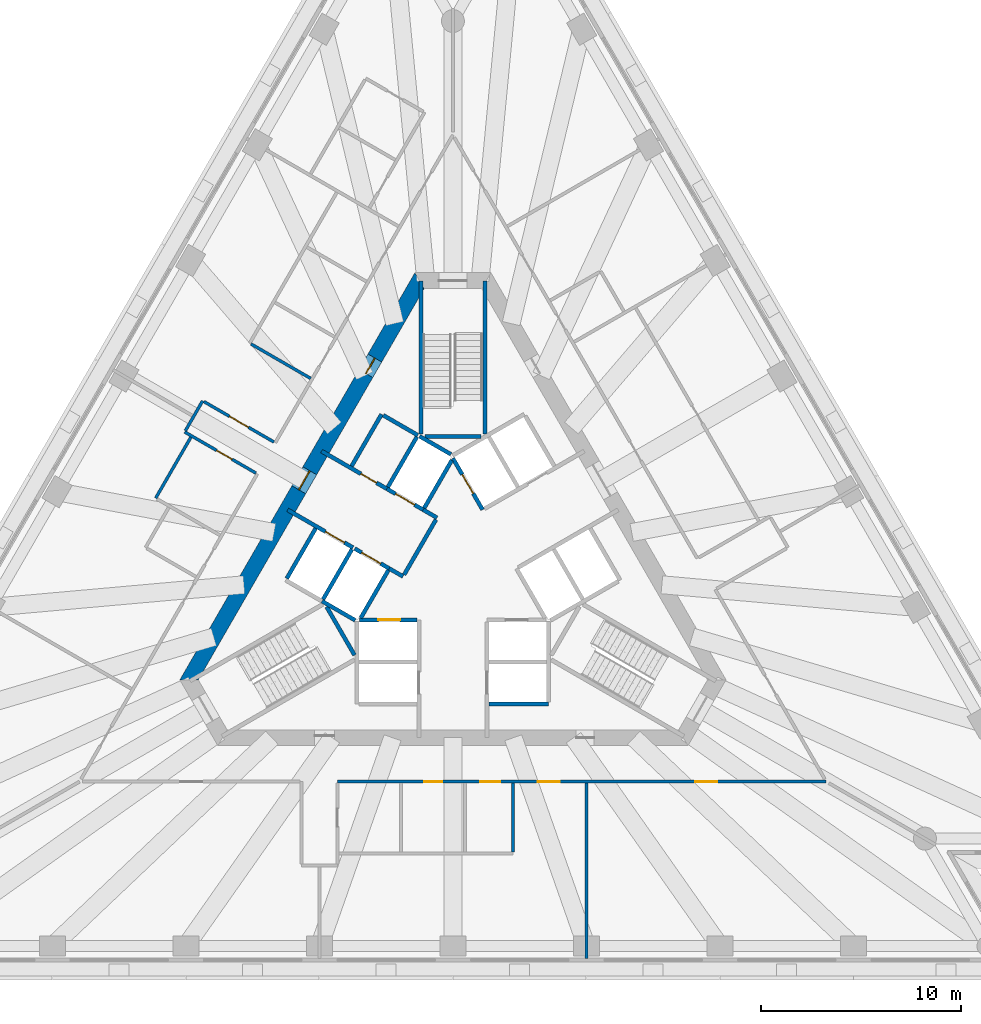
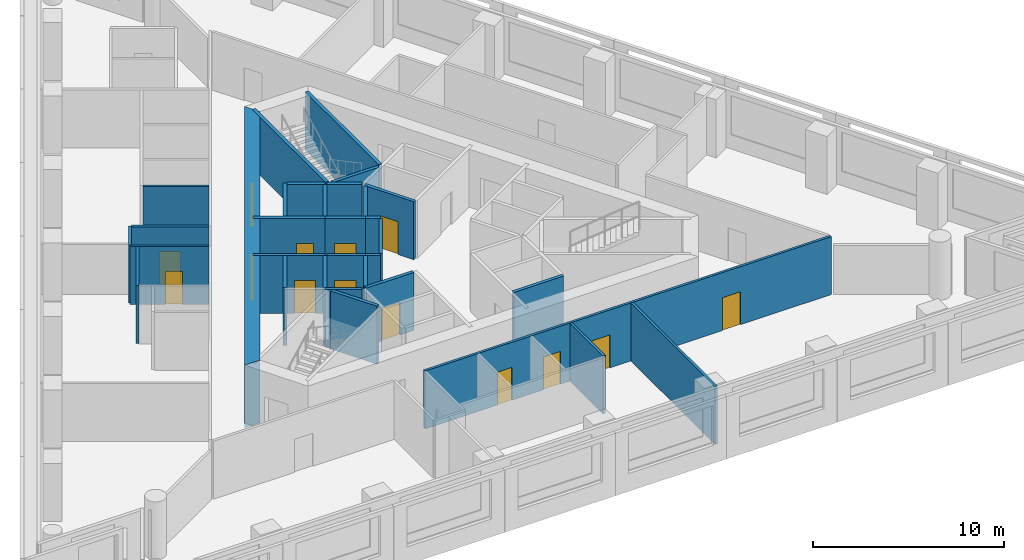
# One storey, part 4 of 9: 32 walls, 14 doors, 14 openings.
"""IFC4 building model written with IfcOpenShell, lengths in metres."""

from ifc_helpers import new_model, si_unit, direction, frame, frame_2d, origin, place, context, subcontext, project, spatial, polyline, rectangle, outline, extrude, material, layer, layer_set, type_object, element, fill, save


model = new_model("IFC4")

# Units and contexts
model_context = context("Model", 3, precision=1e-05, world=origin(), true_north=direction((0.0, 1.0)))
body_context = subcontext(model_context, "Body", "Model", "MODEL_VIEW")
ifc_project = project(units=[si_unit("LENGTHUNIT", "METRE"), si_unit("AREAUNIT", "SQUARE_METRE"), si_unit("VOLUMEUNIT", "CUBIC_METRE"), si_unit("PLANEANGLEUNIT", "RADIAN"), si_unit("MASSUNIT", "GRAM", prefix="KILO")], contexts=[model_context])

# Site, building, storey
site_placement = place(None, origin())
site = spatial("IfcSite", under=ifc_project, at=site_placement, CompositionType="ELEMENT")
building_placement = place(site_placement, origin())
building = spatial("IfcBuilding", under=site, at=building_placement, Name="Triada Interchange Tower", CompositionType="ELEMENT")
storey_placement = place(building_placement, frame((0.0, 0.0, 148.300048828125)))
storey = spatial("IfcBuildingStorey", under=building, at=storey_placement, Name="L34", CompositionType="ELEMENT", Elevation=148.300048828125)

# Walls
ifc_material_1 = material(Name="Concrete C30/37", Category="concrete")
ifc_layer_1 = layer(ifc_material_1, 0.199951171875)
ifc_layer_set_1 = layer_set([ifc_layer_1], Name="CORE WALL 200 EI 120")
wall_type_1 = type_object("IfcWallType", Name="CORE WALL 200 EI 120", PredefinedType="SOLIDWALL", material=ifc_layer_set_1)
wall_1_placement = place(storey_placement, frame((-8.325927734375, -0.6201171875, 0.0), z_axis=(0.0, 0.0, 1.0), x_axis=(0.500023687443, 0.866011727401, 0.0)))
element("IfcWall", 1, at=wall_1_placement, inside=storey, type_object=wall_type_1, Name="Wall L32 47", PredefinedType="SOLIDWALL", context=body_context, shape_type="SweptSolid", body=[
    extrude(rectangle(XDim=2.899658203125, YDim=0.199951171875, at=frame_2d((1.44970703125, 0.0))), origin(), (0.0, 0.0, 1.0), 3.699951171875),
])
wall_2_placement = place(storey_placement, frame((1.800048828125, -6.89990234375, 0.0), z_axis=(0.0, 0.0, 1.0), x_axis=(1.0, 0.0, 0.0)))
element("IfcWall", 2, at=wall_2_placement, inside=storey, type_object=wall_type_1, Name="Wall L32 52", PredefinedType="SOLIDWALL", context=body_context, shape_type="SweptSolid", body=[
    extrude(rectangle(XDim=3.0, YDim=0.199951171875, at=frame_2d((1.5, 0.0))), origin(), (0.0, 0.0, 1.0), 3.699951171875),
])

# Wall, opening, door
wall_3_placement = place(storey_placement, frame((-4.676025390625, -2.699951171875, 0.0), z_axis=(0.0, 0.0, 1.0), x_axis=(1.0, 0.0, 0.0)))
wall_3 = element("IfcWall", 3, at=wall_3_placement, inside=storey, type_object=wall_type_1, Name="Wall L32 54", PredefinedType="SOLIDWALL", context=body_context, shape_type="SweptSolid", body=[
    extrude(rectangle(XDim=2.873046875, YDim=0.199951171875, at=frame_2d((1.4365234375, 0.0))), origin(), (0.0, 0.0, 1.0), 3.699951171875),
])
opening_1_placement = place(wall_3_placement, frame((0.93701171875, 0.0, 0.0)))
opening_1 = element("IfcOpeningElement", 4, at=opening_1_placement, cuts=wall_3, Name="Opening LD-LR3", PredefinedType="OPENING", context=body_context, shape_type="SweptSolid", body=[
    extrude(rectangle(XDim=1.10009765625, YDim=2.10009765625, at=frame_2d((0.550048828125, 1.050048828125))), frame((0.0, 0.10986328125, 0.0), z_axis=(0.0, -1.0, 0.0), x_axis=(1.0, 0.0, 0.0)), (0.0, 0.0, 1.0), 0.219970703125),
])
ifc_material_2 = material(Name="Steel S235 door leaf", Category="steel")
door_type_1 = type_object("IfcDoorType", Name="LIFT LANDING DOOR 1100 EI 120", OperationType="SLIDING_TO_LEFT", PredefinedType="DOOR", material=ifc_material_2)
door_1_placement = place(opening_1_placement, origin())
door_1 = element("IfcDoor", 5, at=door_1_placement, inside=storey, type_object=door_type_1, Name="LR3 landing door L34", OperationType="SLIDING_TO_LEFT", OverallHeight=2.10009765625, OverallWidth=1.10009765625, PredefinedType="DOOR", context=body_context, shape_type="SweptSolid", body=[
    extrude(rectangle(XDim=1.10009765625, YDim=2.10009765625, at=frame_2d((0.550048828125, 1.050048828125))), frame((0.0, 0.02490234375, 0.0), z_axis=(0.0, -1.0, 0.0), x_axis=(1.0, 0.0, 0.0)), (0.0, 0.0, 1.0), 0.050048828125),
])
fill(opening_1, door_1)

wall_4_placement = place(storey_placement, frame((0.0, 5.39990234375, 0.0), z_axis=(0.0, 0.0, 1.0), x_axis=(0.500103862429, -0.865965430478, 0.0)))
wall_4 = element("IfcWall", 6, at=wall_4_placement, inside=storey, type_object=wall_type_1, Name="Wall L32 57", PredefinedType="SOLIDWALL", context=body_context, shape_type="SweptSolid", body=[
    extrude(rectangle(XDim=2.973388671875, YDim=0.199951171875, at=frame_2d((1.48681640625, 0.0))), origin(), (0.0, 0.0, 1.0), 3.699951171875),
])
opening_2_placement = place(wall_4_placement, frame((0.93701171875, 0.0, 0.0)))
opening_2 = element("IfcOpeningElement", 7, at=opening_2_placement, cuts=wall_4, Name="Opening LD-LR5", PredefinedType="OPENING", context=body_context, shape_type="SweptSolid", body=[
    extrude(rectangle(XDim=1.10009765625, YDim=2.10009765625, at=frame_2d((0.550048828125, 1.050048828125))), frame((0.0, 0.10986328125, 0.0), z_axis=(0.0, -1.0, 0.0), x_axis=(1.0, 0.0, 0.0)), (0.0, 0.0, 1.0), 0.219970703125),
])
door_2_placement = place(opening_2_placement, origin())
door_2 = element("IfcDoor", 8, at=door_2_placement, inside=storey, type_object=door_type_1, Name="LR5 landing door L34", OperationType="SLIDING_TO_LEFT", OverallHeight=2.10009765625, OverallWidth=1.10009765625, PredefinedType="DOOR", context=body_context, shape_type="SweptSolid", body=[
    extrude(rectangle(XDim=1.10009765625, YDim=2.10009765625, at=frame_2d((0.550048828125, 1.050048828125))), frame((0.0, 0.02490234375, 0.0), z_axis=(0.0, -1.0, 0.0), x_axis=(1.0, 0.0, 0.0)), (0.0, 0.0, 1.0), 0.050048828125),
])
fill(opening_2, door_2)

ifc_layer_2 = layer(ifc_material_1, 0.199951171875)
ifc_layer_set_2 = layer_set([ifc_layer_2], Name="CORE WALL 200 EI 180")
wall_type_2 = type_object("IfcWallType", Name="CORE WALL 200 EI 180", PredefinedType="SOLIDWALL", material=ifc_layer_set_2)
wall_5_placement = place(storey_placement, frame((-8.280029296875, 2.818115234375, 0.0), z_axis=(0.0, 0.0, 1.0), x_axis=(0.86600175068, -0.50004096614, 0.0)))
wall_5 = element("IfcWall", 9, at=wall_5_placement, inside=storey, type_object=wall_type_2, Name="Wall L32 68", PredefinedType="SOLIDWALL", context=body_context, shape_type="SweptSolid", body=[
    extrude(rectangle(XDim=3.781982421875, YDim=0.199951171875, at=frame_2d((1.89111328125, 0.0))), origin(), (0.0, 0.0, 1.0), 3.699951171875),
])
opening_3_placement = place(wall_5_placement, frame((2.179931640625, 0.0, 0.0)))
opening_3 = element("IfcOpeningElement", 10, at=opening_3_placement, cuts=wall_5, Name="Opening LD-SV1", PredefinedType="OPENING", context=body_context, shape_type="SweptSolid", body=[
    extrude(rectangle(XDim=1.10009765625, YDim=2.10009765625, at=frame_2d((0.550048828125, 1.050048828125))), frame((0.0, 0.10986328125, 0.0), z_axis=(0.0, -1.0, 0.0), x_axis=(1.0, 0.0, 0.0)), (0.0, 0.0, 1.0), 0.219970703125),
])
door_3_placement = place(opening_3_placement, origin())
door_3 = element("IfcDoor", 11, at=door_3_placement, inside=storey, type_object=door_type_1, Name="SV1 landing door L34", OperationType="SLIDING_TO_LEFT", OverallHeight=2.10009765625, OverallWidth=1.10009765625, PredefinedType="DOOR", context=body_context, shape_type="SweptSolid", body=[
    extrude(rectangle(XDim=1.10009765625, YDim=2.10009765625, at=frame_2d((0.550048828125, 1.050048828125))), frame((0.0, 0.02490234375, 0.0), z_axis=(0.0, -1.0, 0.0), x_axis=(1.0, 0.0, 0.0)), (0.0, 0.0, 1.0), 0.050048828125),
])
fill(opening_3, door_3)

# Wall
wall_6_placement = place(storey_placement, frame((-3.18798828125, -0.1220703125, 0.0), z_axis=(0.0, 0.0, 1.0), x_axis=(0.865705793592, -0.50055317294, 0.0)))
element("IfcWall", 12, at=wall_6_placement, inside=storey, type_object=wall_type_2, Name="Wall L32 69", PredefinedType="SOLIDWALL", context=body_context, shape_type="SweptSolid", body=[
    extrude(rectangle(XDim=0.796875, YDim=0.199951171875, at=frame_2d((0.3984375, 0.0))), origin(), (0.0, 0.0, 1.0), 3.699951171875),
])

# Wall, opening, door
wall_7_placement = place(storey_placement, frame((-6.580078125, 5.761962890625, 0.0), z_axis=(0.0, 0.0, 1.0), x_axis=(0.866029704776, -0.49999255039, 0.0)))
wall_7 = element("IfcWall", 13, at=wall_7_placement, inside=storey, type_object=wall_type_2, Name="Wall L32 70", PredefinedType="SOLIDWALL", context=body_context, shape_type="SweptSolid", body=[
    extrude(rectangle(XDim=3.78173828125, YDim=0.199951171875, at=frame_2d((1.890869140625, 0.0))), origin(), (0.0, 0.0, 1.0), 3.699951171875),
])
opening_4_placement = place(wall_7_placement, frame((2.279052734375, 0.0, 0.0)))
opening_4 = element("IfcOpeningElement", 14, at=opening_4_placement, cuts=wall_7, Name="Opening D32-10", PredefinedType="OPENING", context=body_context, shape_type="SweptSolid", body=[
    extrude(rectangle(XDim=0.89990234375, YDim=2.10009765625, at=frame_2d((0.449951171875, 1.050048828125))), frame((0.0, 0.10986328125, 0.0), z_axis=(0.0, -1.0, 0.0), x_axis=(1.0, 0.0, 0.0)), (0.0, 0.0, 1.0), 0.219970703125),
])
door_type_2 = type_object("IfcDoorType", Name="SERVICE DOOR 900 EI2 90-C5S200", OperationType="NOTDEFINED", PredefinedType="DOOR", material=ifc_material_2)
door_4_placement = place(opening_4_placement, origin())
door_4 = element("IfcDoor", 15, at=door_4_placement, inside=storey, type_object=door_type_2, Name="Door D32-10 L34", OperationType="SINGLE_SWING_LEFT", OverallHeight=2.10009765625, OverallWidth=0.89990234375, PredefinedType="DOOR", context=body_context, shape_type="SweptSolid", body=[
    extrude(rectangle(XDim=0.89990234375, YDim=2.10009765625, at=frame_2d((0.449951171875, 1.050048828125))), frame((0.0, 0.02490234375, 0.0), z_axis=(0.0, -1.0, 0.0), x_axis=(1.0, 0.0, 0.0)), (0.0, 0.0, 1.0), 0.050048828125),
])
fill(opening_4, door_4)

# Walls
wall_8_placement = place(storey_placement, frame((-1.488037109375, 2.822021484375, 0.0), z_axis=(0.0, 0.0, 1.0), x_axis=(0.866236612152, -0.499633997809, 0.0)))
element("IfcWall", 16, at=wall_8_placement, inside=storey, type_object=wall_type_2, Name="Wall L32 71", PredefinedType="SOLIDWALL", context=body_context, shape_type="SweptSolid", body=[
    extrude(rectangle(XDim=0.79638671875, YDim=0.199951171875, at=frame_2d((0.398193359375, 0.0))), origin(), (0.0, 0.0, 1.0), 3.699951171875),
])
wall_9_placement = place(storey_placement, frame((-5.075927734375, 5.009033203125, 0.0), z_axis=(0.0, 0.0, 1.0), x_axis=(0.50002537861, 0.866010750942, 0.0)))
element("IfcWall", 17, at=wall_9_placement, inside=storey, type_object=wall_type_2, Name="Wall L32 72", PredefinedType="SOLIDWALL", context=body_context, shape_type="SweptSolid", body=[
    extrude(rectangle(XDim=2.999755859375, YDim=0.199951171875, at=frame_2d((1.5, 0.0))), origin(), (0.0, 0.0, 1.0), 3.699951171875),
])
wall_10_placement = place(storey_placement, frame((-3.489013671875, 7.556884765625, 0.0), z_axis=(0.0, 0.0, 1.0), x_axis=(0.866010750942, -0.50002537861, 0.0)))
element("IfcWall", 18, at=wall_10_placement, inside=storey, type_object=wall_type_2, Name="Wall L32 73", PredefinedType="SOLIDWALL", context=body_context, shape_type="SweptSolid", body=[
    extrude(rectangle(XDim=2.0, YDim=0.199951171875, at=frame_2d((1.0, 0.0))), origin(), (0.0, 0.0, 1.0), 3.699951171875),
])
wall_11_placement = place(storey_placement, frame((-2.444091796875, -0.43310546875, 0.0), z_axis=(0.0, 0.0, 1.0), x_axis=(0.500035624827, 0.866004834804, 0.0)))
element("IfcWall", 19, at=wall_11_placement, inside=storey, type_object=wall_type_2, Name="Wall L32 74", PredefinedType="SOLIDWALL", context=body_context, shape_type="SweptSolid", body=[
    extrude(rectangle(XDim=3.194091796875, YDim=0.199951171875, at=frame_2d((1.59716796875, 0.0))), origin(), (0.0, 0.0, 1.0), 3.699951171875),
])
wall_12_placement = place(storey_placement, frame((-6.556884765625, -1.757080078125, 0.0), z_axis=(0.0, 0.0, 1.0), x_axis=(0.8659754619, -0.500086491905, 0.0)))
element("IfcWall", 20, at=wall_12_placement, inside=storey, type_object=wall_type_2, Name="Shaft wall FF1 L32 75", PredefinedType="SOLIDWALL", context=body_context, shape_type="SweptSolid", body=[
    extrude(rectangle(XDim=1.915771484375, YDim=0.199951171875, at=frame_2d((0.9580078125, 0.0))), origin(), (0.0, 0.0, 1.0), 3.699951171875),
])
wall_13_placement = place(storey_placement, frame((-6.507080078125, -1.669921875, 0.0), z_axis=(0.0, 0.0, 1.0), x_axis=(0.50012328804, 0.865954211699, 0.0)))
element("IfcWall", 21, at=wall_13_placement, inside=storey, type_object=wall_type_2, Name="Shaft wall FF1 L32 76", PredefinedType="SOLIDWALL", context=body_context, shape_type="SweptSolid", body=[
    extrude(rectangle(XDim=2.899658203125, YDim=0.199951171875, at=frame_2d((1.44970703125, 0.0))), origin(), (0.0, 0.0, 1.0), 3.699951171875),
])

# Wall, opening, door
wall_14_placement = place(storey_placement, frame((-4.919921875, 0.8779296875, 0.0), z_axis=(0.0, 0.0, 1.0), x_axis=(0.866010750942, -0.50002537861, 0.0)))
wall_14 = element("IfcWall", 22, at=wall_14_placement, inside=storey, type_object=wall_type_2, Name="Shaft wall FF1 L32 77", PredefinedType="SOLIDWALL", context=body_context, shape_type="SweptSolid", body=[
    extrude(rectangle(XDim=2.0, YDim=0.199951171875, at=frame_2d((1.0, 0.0))), origin(), (0.0, 0.0, 1.0), 3.699951171875),
])
opening_5_placement = place(wall_14_placement, frame((0.39990234375, 0.0, 0.0)))
opening_5 = element("IfcOpeningElement", 23, at=opening_5_placement, cuts=wall_14, Name="Opening LD-FF1", PredefinedType="OPENING", context=body_context, shape_type="SweptSolid", body=[
    extrude(rectangle(XDim=1.10009765625, YDim=2.10009765625, at=frame_2d((0.550048828125, 1.050048828125))), frame((0.0, 0.10986328125, 0.0), z_axis=(0.0, -1.0, 0.0), x_axis=(1.0, 0.0, 0.0)), (0.0, 0.0, 1.0), 0.219970703125),
])
door_5_placement = place(opening_5_placement, origin())
door_5 = element("IfcDoor", 24, at=door_5_placement, inside=storey, type_object=door_type_1, Name="FF1 landing door L34", OperationType="SLIDING_TO_LEFT", OverallHeight=2.10009765625, OverallWidth=1.10009765625, PredefinedType="DOOR", context=body_context, shape_type="SweptSolid", body=[
    extrude(rectangle(XDim=1.10009765625, YDim=2.10009765625, at=frame_2d((0.550048828125, 1.050048828125))), frame((0.0, 0.02490234375, 0.0), z_axis=(0.0, -1.0, 0.0), x_axis=(1.0, 0.0, 0.0)), (0.0, 0.0, 1.0), 0.050048828125),
])
fill(opening_5, door_5)

# Wall
wall_15_placement = place(storey_placement, frame((-4.618896484375, -2.60009765625, 0.0), z_axis=(0.0, 0.0, 1.0), x_axis=(0.50009492287, 0.865970593103, 0.0)))
element("IfcWall", 25, at=wall_15_placement, inside=storey, type_object=wall_type_2, Name="Shaft wall FF1 L32 78", PredefinedType="SOLIDWALL", context=body_context, shape_type="SweptSolid", body=[
    extrude(rectangle(XDim=2.76123046875, YDim=0.199951171875, at=frame_2d((1.380615234375, 0.0))), origin(), (0.0, 0.0, 1.0), 3.699951171875),
])

# Wall, opening, door
wall_16_placement = place(storey_placement, frame((-3.30908203125, 3.873046875, 0.0), z_axis=(0.0, 0.0, 1.0), x_axis=(0.866098583652, -0.499873227325, 0.0)))
wall_16 = element("IfcWall", 26, at=wall_16_placement, inside=storey, type_object=wall_type_2, Name="Shaft wall FF2 L32 79", PredefinedType="SOLIDWALL", context=body_context, shape_type="SweptSolid", body=[
    extrude(rectangle(XDim=2.1025390625, YDim=0.199951171875, at=frame_2d((1.05126953125, 0.0))), origin(), (0.0, 0.0, 1.0), 3.699951171875),
])
opening_6_placement = place(wall_16_placement, frame((0.501953125, 0.0, 0.0)))
opening_6 = element("IfcOpeningElement", 27, at=opening_6_placement, cuts=wall_16, Name="Opening LD-FF2", PredefinedType="OPENING", context=body_context, shape_type="SweptSolid", body=[
    extrude(rectangle(XDim=1.10009765625, YDim=2.10009765625, at=frame_2d((0.550048828125, 1.050048828125))), frame((0.0, 0.10986328125, 0.0), z_axis=(0.0, -1.0, 0.0), x_axis=(1.0, 0.0, 0.0)), (0.0, 0.0, 1.0), 0.219970703125),
])
door_6_placement = place(opening_6_placement, origin())
door_6 = element("IfcDoor", 28, at=door_6_placement, inside=storey, type_object=door_type_1, Name="FF2 landing door L34", OperationType="SLIDING_TO_LEFT", OverallHeight=2.10009765625, OverallWidth=1.10009765625, PredefinedType="DOOR", context=body_context, shape_type="SweptSolid", body=[
    extrude(rectangle(XDim=1.10009765625, YDim=2.10009765625, at=frame_2d((0.550048828125, 1.050048828125))), frame((0.0, 0.02490234375, 0.0), z_axis=(0.0, -1.0, 0.0), x_axis=(1.0, 0.0, 0.0)), (0.0, 0.0, 1.0), 0.050048828125),
])
fill(opening_6, door_6)

# Walls
wall_17_placement = place(storey_placement, frame((-3.257080078125, 3.958984375, 0.0), z_axis=(0.0, 0.0, 1.0), x_axis=(0.50012328804, 0.865954211699, 0.0)))
element("IfcWall", 29, at=wall_17_placement, inside=storey, type_object=wall_type_2, Name="Shaft wall FF2 L32 80", PredefinedType="SOLIDWALL", context=body_context, shape_type="SweptSolid", body=[
    extrude(rectangle(XDim=2.899658203125, YDim=0.199951171875, at=frame_2d((1.44970703125, 0.0))), origin(), (0.0, 0.0, 1.0), 3.699951171875),
])
wall_18_placement = place(storey_placement, frame((-1.669921875, 6.507080078125, 0.0), z_axis=(0.0, 0.0, 1.0), x_axis=(0.865941441609, -0.500145398563, 0.0)))
element("IfcWall", 30, at=wall_18_placement, inside=storey, type_object=wall_type_2, Name="Shaft wall FF2 L32 81", PredefinedType="SOLIDWALL", context=body_context, shape_type="SweptSolid", body=[
    extrude(rectangle(XDim=1.8154296875, YDim=0.199951171875, at=frame_2d((0.90771484375, 0.0))), origin(), (0.0, 0.0, 1.0), 3.699951171875),
])
wall_19_placement = place(storey_placement, frame((-1.43798828125, 2.908935546875, 0.0), z_axis=(0.0, 0.0, 1.0), x_axis=(0.499829630636, 0.866123744241, 0.0)))
element("IfcWall", 31, at=wall_19_placement, inside=storey, type_object=wall_type_2, Name="Shaft wall FF2 L32 82", PredefinedType="SOLIDWALL", context=body_context, shape_type="SweptSolid", body=[
    extrude(rectangle(XDim=2.7607421875, YDim=0.199951171875, at=frame_2d((1.38037109375, 0.0))), origin(), (0.0, 0.0, 1.0), 3.699951171875),
])
ifc_layer_3 = layer(ifc_material_1, 0.199951171875)
ifc_layer_set_3 = layer_set([ifc_layer_3], Name="CORE WALL 200 REI 240")
wall_type_3 = type_object("IfcWallType", Name="CORE WALL 200 REI 240", PredefinedType="SOLIDWALL", material=ifc_layer_set_3)
wall_20_placement = place(storey_placement, frame((-6.3291015625, -2.0380859375, 0.0), z_axis=(0.0, 0.0, 1.0), x_axis=(0.500200581029, -0.865909567298, 0.0)))
element("IfcWall", 32, at=wall_20_placement, inside=storey, type_object=wall_type_3, Name="Wall L32 84", PredefinedType="SOLIDWALL", context=body_context, shape_type="SweptSolid", body=[
    extrude(rectangle(XDim=2.799072265625, YDim=0.199951171875, at=frame_2d((1.3994140625, 0.0))), origin(), (0.0, 0.0, 1.0), 3.699951171875),
])
wall_21_placement = place(storey_placement, frame((1.60009765625, 6.614990234375, 0.0), z_axis=(0.0, 0.0, 1.0), x_axis=(0.0, 1.0, 0.0)))
element("IfcWall", 33, at=wall_21_placement, inside=storey, type_object=wall_type_3, Name="Wall L32 86", PredefinedType="SOLIDWALL", context=body_context, shape_type="SweptSolid", body=[
    extrude(rectangle(XDim=7.6650390625, YDim=0.199951171875, at=frame_2d((3.83251953125, 0.0))), origin(), (0.0, 0.0, 1.0), 3.699951171875),
])
wall_22_placement = place(storey_placement, frame((-1.39990234375, 6.5, 0.0), z_axis=(0.0, 0.0, 1.0), x_axis=(1.0, 0.0, 0.0)))
element("IfcWall", 34, at=wall_22_placement, inside=storey, type_object=wall_type_3, Name="Wall L32 87", PredefinedType="SOLIDWALL", context=body_context, shape_type="SweptSolid", body=[
    extrude(rectangle(XDim=2.7998046875, YDim=0.199951171875, at=frame_2d((1.39990234375, 0.0))), origin(), (0.0, 0.0, 1.0), 3.699951171875),
])
wall_23_placement = place(storey_placement, frame((-1.60009765625, 6.614990234375, 0.0), z_axis=(0.0, 0.0, 1.0), x_axis=(0.0, 1.0, 0.0)))
element("IfcWall", 35, at=wall_23_placement, inside=storey, type_object=wall_type_3, Name="Wall L32 88", PredefinedType="SOLIDWALL", context=body_context, shape_type="SweptSolid", body=[
    extrude(rectangle(XDim=7.6650390625, YDim=0.199951171875, at=frame_2d((3.83251953125, 0.0))), origin(), (0.0, 0.0, 1.0), 3.699951171875),
])

# Wall, openings, doors
ifc_material_3 = material(Name="Concrete C60/75", Category="concrete")
ifc_layer_4 = layer(ifc_material_3, 0.800048828125)
ifc_layer_set_4 = layer_set([ifc_layer_4], Name="Core wall B 800")
wall_type_4 = type_object("IfcWallType", Name="Core wall B 800", PredefinedType="SHEAR", material=ifc_layer_set_4)
wall_24_placement = place(storey_placement, frame((-1.674072265625, 14.300048828125, -0.300048828125), z_axis=(0.0, 0.0, 1.0), x_axis=(-0.499995765644, -0.866027848477, 0.0)))
wall_24 = element("IfcWall", 36, at=wall_24_placement, inside=storey, type_object=wall_type_4, Name="Core wall WB02 L34", PredefinedType="SHEAR", context=body_context, shape_type="SweptSolid", body=[
    extrude(outline(polyline([(-0.23095703125, -0.39990234375), (1.73193359375, -0.39990234375), (3.695068359375, -0.39990234375), (5.657958984375, -0.39990234375), (7.62109375, -0.39990234375), (9.583984375, -0.39990234375), (11.546875, -0.39990234375), (13.510009765625, -0.39990234375), (15.472900390625, -0.39990234375), (17.43603515625, -0.39990234375), (19.39892578125, -0.39990234375), (21.362060546875, -0.39990234375), (23.324951171875, -0.39990234375), (22.863037109375, 0.39990234375), (20.97705078125, 0.39990234375), (19.091064453125, 0.39990234375), (17.205078125, 0.39990234375), (15.319091796875, 0.39990234375), (13.43310546875, 0.39990234375), (11.546875, 0.39990234375), (9.660888671875, 0.39990234375), (7.77490234375, 0.39990234375), (5.888916015625, 0.39990234375), (4.0029296875, 0.39990234375), (2.116943359375, 0.39990234375), (0.23095703125, 0.39990234375), (-0.23095703125, -0.39990234375)])), origin(), (0.0, 0.0, 1.0), 4.0),
])
opening_7_placement = place(wall_24_placement, frame((10.9970703125, 0.0, 0.300048828125)))
opening_7 = element("IfcOpeningElement", 37, at=opening_7_placement, cuts=wall_24, Name="Opening D32-38", PredefinedType="OPENING", context=body_context, shape_type="SweptSolid", body=[
    extrude(rectangle(XDim=1.10009765625, YDim=2.10009765625, at=frame_2d((0.550048828125, 1.050048828125))), frame((0.0, 0.409912109375, 0.0), z_axis=(0.0, -1.0, 0.0), x_axis=(1.0, 0.0, 0.0)), (0.0, 0.0, 1.0), 0.820068359375),
])
opening_8_placement = place(wall_24_placement, frame((4.47412109375, 0.0, 0.300048828125)))
opening_8 = element("IfcOpeningElement", 38, at=opening_8_placement, cuts=wall_24, Name="Opening D32-40", PredefinedType="OPENING", context=body_context, shape_type="SweptSolid", body=[
    extrude(rectangle(XDim=0.89990234375, YDim=2.10009765625, at=frame_2d((0.449951171875, 1.050048828125))), frame((0.0, 0.409912109375, 0.0), z_axis=(0.0, -1.0, 0.0), x_axis=(1.0, 0.0, 0.0)), (0.0, 0.0, 1.0), 0.820068359375),
])
door_type_3 = type_object("IfcDoorType", Name="FIRE LOBBY DOOR 1100 EI2 90-C5S200", OperationType="NOTDEFINED", PredefinedType="DOOR", material=ifc_material_2)
door_7_placement = place(opening_7_placement, origin())
door_7 = element("IfcDoor", 39, at=door_7_placement, inside=storey, type_object=door_type_3, Name="Door D32-38 L34", OperationType="SINGLE_SWING_LEFT", OverallHeight=2.10009765625, OverallWidth=1.10009765625, PredefinedType="DOOR", context=body_context, shape_type="SweptSolid", body=[
    extrude(rectangle(XDim=1.10009765625, YDim=2.10009765625, at=frame_2d((0.550048828125, 1.050048828125))), frame((0.0, 0.02490234375, 0.0), z_axis=(0.0, -1.0, 0.0), x_axis=(1.0, 0.0, 0.0)), (0.0, 0.0, 1.0), 0.050048828125),
])
fill(opening_7, door_7)
door_type_4 = type_object("IfcDoorType", Name="SERVICE DOOR 900 EI2 45-C5S200", OperationType="NOTDEFINED", PredefinedType="DOOR", material=ifc_material_2)
door_8_placement = place(opening_8_placement, origin())
door_8 = element("IfcDoor", 40, at=door_8_placement, inside=storey, type_object=door_type_4, Name="Door D32-40 L34", OperationType="SINGLE_SWING_RIGHT", OverallHeight=2.10009765625, OverallWidth=0.89990234375, PredefinedType="DOOR", context=body_context, shape_type="SweptSolid", body=[
    extrude(rectangle(XDim=0.89990234375, YDim=2.10009765625, at=frame_2d((0.449951171875, 1.050048828125))), frame((0.0, 0.02490234375, 0.0), z_axis=(0.0, -1.0, 0.0), x_axis=(1.0, 0.0, 0.0)), (0.0, 0.0, 1.0), 0.050048828125),
])
fill(opening_8, door_8)

ifc_material_4 = material(Name="Gypsum board partition")
ifc_layer_5 = layer(ifc_material_4, 0.14990234375)
ifc_layer_set_5 = layer_set([ifc_layer_5], Name="PARTITION 150 EI 180")
wall_type_5 = type_object("IfcWallType", Name="PARTITION 150 EI 180", PredefinedType="PARTITIONING", material=ifc_layer_set_5)
wall_25_placement = place(storey_placement, frame((-5.7890625, -10.800048828125, 0.0), z_axis=(0.0, 0.0, 1.0), x_axis=(1.0, 0.0, 0.0)))
wall_25 = element("IfcWall", 41, at=wall_25_placement, inside=storey, type_object=wall_type_5, Name="Wall L32 6", PredefinedType="PARTITIONING", context=body_context, shape_type="SweptSolid", body=[
    extrude(rectangle(XDim=24.4951171875, YDim=0.14990234375, at=frame_2d((12.24755859375, 0.0))), origin(), (0.0, 0.0, 1.0), 3.699951171875),
])
opening_9_placement = place(wall_25_placement, frame((10.049072265625, 0.0, 0.0)))
opening_9 = element("IfcOpeningElement", 42, at=opening_9_placement, cuts=wall_25, Name="Opening D32-12", PredefinedType="OPENING", context=body_context, shape_type="SweptSolid", body=[
    extrude(rectangle(XDim=1.10009765625, YDim=2.10009765625, at=frame_2d((0.550048828125, 1.050048828125))), frame((0.0, 0.0849609375, 0.0), z_axis=(0.0, -1.0, 0.0), x_axis=(1.0, 0.0, 0.0)), (0.0, 0.0, 1.0), 0.169921875),
])
opening_10_placement = place(wall_25_placement, frame((4.34912109375, 0.0, 0.0)))
opening_10 = element("IfcOpeningElement", 43, at=opening_10_placement, cuts=wall_25, Name="Opening D32-14", PredefinedType="OPENING", context=body_context, shape_type="SweptSolid", body=[
    extrude(rectangle(XDim=0.89990234375, YDim=2.10009765625, at=frame_2d((0.449951171875, 1.050048828125))), frame((0.0, 0.0849609375, 0.0), z_axis=(0.0, -1.0, 0.0), x_axis=(1.0, 0.0, 0.0)), (0.0, 0.0, 1.0), 0.169921875),
])
opening_11_placement = place(wall_25_placement, frame((7.14892578125, 0.0, 0.0)))
opening_11 = element("IfcOpeningElement", 44, at=opening_11_placement, cuts=wall_25, Name="Opening D32-15", PredefinedType="OPENING", context=body_context, shape_type="SweptSolid", body=[
    extrude(rectangle(XDim=1.0, YDim=2.10009765625, at=frame_2d((0.5, 1.050048828125))), frame((0.0, 0.0849609375, 0.0), z_axis=(0.0, -1.0, 0.0), x_axis=(1.0, 0.0, 0.0)), (0.0, 0.0, 1.0), 0.169921875),
])
opening_12_placement = place(wall_25_placement, frame((17.928955078125, 0.0, 0.0)))
opening_12 = element("IfcOpeningElement", 45, at=opening_12_placement, cuts=wall_25, Name="Opening D32-16", PredefinedType="OPENING", context=body_context, shape_type="SweptSolid", body=[
    extrude(rectangle(XDim=1.10009765625, YDim=2.10009765625, at=frame_2d((0.550048828125, 1.050048828125))), frame((0.0, 0.0849609375, 0.0), z_axis=(0.0, -1.0, 0.0), x_axis=(1.0, 0.0, 0.0)), (0.0, 0.0, 1.0), 0.169921875),
])
door_type_5 = type_object("IfcDoorType", Name="ROOM DOOR 1000 EI2 90-C5S200", OperationType="NOTDEFINED", PredefinedType="DOOR", material=ifc_material_2)
door_9_placement = place(opening_11_placement, origin())
door_9 = element("IfcDoor", 46, at=door_9_placement, inside=storey, type_object=door_type_5, Name="Door D32-15 L34", OperationType="SINGLE_SWING_RIGHT", OverallHeight=2.10009765625, OverallWidth=1.0, PredefinedType="DOOR", context=body_context, shape_type="SweptSolid", body=[
    extrude(rectangle(XDim=1.0, YDim=2.10009765625, at=frame_2d((0.5, 1.050048828125))), frame((0.0, 0.02490234375, 0.0), z_axis=(0.0, -1.0, 0.0), x_axis=(1.0, 0.0, 0.0)), (0.0, 0.0, 1.0), 0.050048828125),
])
fill(opening_11, door_9)
door_type_6 = type_object("IfcDoorType", Name="ROOM DOOR 900 EI2 90-C5S200", OperationType="NOTDEFINED", PredefinedType="DOOR", material=ifc_material_2)
door_10_placement = place(opening_10_placement, origin())
door_10 = element("IfcDoor", 47, at=door_10_placement, inside=storey, type_object=door_type_6, Name="Door D32-14 L34", OperationType="SINGLE_SWING_RIGHT", OverallHeight=2.10009765625, OverallWidth=0.89990234375, PredefinedType="DOOR", context=body_context, shape_type="SweptSolid", body=[
    extrude(rectangle(XDim=0.89990234375, YDim=2.10009765625, at=frame_2d((0.449951171875, 1.050048828125))), frame((0.0, 0.02490234375, 0.0), z_axis=(0.0, -1.0, 0.0), x_axis=(1.0, 0.0, 0.0)), (0.0, 0.0, 1.0), 0.050048828125),
])
fill(opening_10, door_10)
door_type_7 = type_object("IfcDoorType", Name="TENANCY ENTRANCE DOOR 1100 EI2 90-C5S200", OperationType="NOTDEFINED", PredefinedType="DOOR", material=ifc_material_2)
door_11_placement = place(opening_9_placement, origin())
door_11 = element("IfcDoor", 48, at=door_11_placement, inside=storey, type_object=door_type_7, Name="Door D32-12 L34", OperationType="SINGLE_SWING_LEFT", OverallHeight=2.10009765625, OverallWidth=1.10009765625, PredefinedType="DOOR", context=body_context, shape_type="SweptSolid", body=[
    extrude(rectangle(XDim=1.10009765625, YDim=2.10009765625, at=frame_2d((0.550048828125, 1.050048828125))), frame((0.0, 0.02490234375, 0.0), z_axis=(0.0, -1.0, 0.0), x_axis=(1.0, 0.0, 0.0)), (0.0, 0.0, 1.0), 0.050048828125),
])
fill(opening_9, door_11)
door_12_placement = place(opening_12_placement, origin())
door_12 = element("IfcDoor", 49, at=door_12_placement, inside=storey, type_object=door_type_7, Name="Door D32-16 L34", OperationType="SINGLE_SWING_LEFT", OverallHeight=2.10009765625, OverallWidth=1.10009765625, PredefinedType="DOOR", context=body_context, shape_type="SweptSolid", body=[
    extrude(rectangle(XDim=1.10009765625, YDim=2.10009765625, at=frame_2d((0.550048828125, 1.050048828125))), frame((0.0, 0.02490234375, 0.0), z_axis=(0.0, -1.0, 0.0), x_axis=(1.0, 0.0, 0.0)), (0.0, 0.0, 1.0), 0.050048828125),
])
fill(opening_12, door_12)

# Wall
wall_26_placement = place(storey_placement, frame((-14.89404296875, 3.403076171875, 0.0), z_axis=(0.0, 0.0, 1.0), x_axis=(0.500064136673, 0.865988371292, 0.0)))
element("IfcWall", 50, at=wall_26_placement, inside=storey, type_object=wall_type_5, Name="Wall L32 11", PredefinedType="PARTITIONING", context=body_context, shape_type="SweptSolid", body=[
    extrude(rectangle(XDim=3.525390625, YDim=0.14990234375, at=frame_2d((1.7626953125, 0.0))), origin(), (0.0, 0.0, 1.0), 3.699951171875),
])

# Wall, opening, door
wall_27_placement = place(storey_placement, frame((-13.43994140625, 6.720947265625, 0.0), z_axis=(0.0, 0.0, 1.0), x_axis=(0.865997263264, -0.500048737644, 0.0)))
wall_27 = element("IfcWall", 51, at=wall_27_placement, inside=storey, type_object=wall_type_5, Name="Wall L32 15", PredefinedType="PARTITIONING", context=body_context, shape_type="SweptSolid", body=[
    extrude(rectangle(XDim=4.12353515625, YDim=0.14990234375, at=frame_2d((2.061767578125, 0.0))), origin(), (0.0, 0.0, 1.0), 3.699951171875),
])
opening_13_placement = place(wall_27_placement, frame((1.85009765625, 0.0, 0.0)))
opening_13 = element("IfcOpeningElement", 52, at=opening_13_placement, cuts=wall_27, Name="Opening D32-31", PredefinedType="OPENING", context=body_context, shape_type="SweptSolid", body=[
    extrude(rectangle(XDim=0.89990234375, YDim=2.10009765625, at=frame_2d((0.449951171875, 1.050048828125))), frame((0.0, 0.0849609375, 0.0), z_axis=(0.0, -1.0, 0.0), x_axis=(1.0, 0.0, 0.0)), (0.0, 0.0, 1.0), 0.169921875),
])
door_13_placement = place(opening_13_placement, origin())
door_13 = element("IfcDoor", 53, at=door_13_placement, inside=storey, type_object=door_type_6, Name="Door D32-31 L34", OperationType="SINGLE_SWING_LEFT", OverallHeight=2.10009765625, OverallWidth=0.89990234375, PredefinedType="DOOR", context=body_context, shape_type="SweptSolid", body=[
    extrude(rectangle(XDim=0.89990234375, YDim=2.10009765625, at=frame_2d((0.449951171875, 1.050048828125))), frame((0.0, 0.02490234375, 0.0), z_axis=(0.0, -1.0, 0.0), x_axis=(1.0, 0.0, 0.0)), (0.0, 0.0, 1.0), 0.050048828125),
])
fill(opening_13, door_13)

# Wall
wall_28_placement = place(storey_placement, frame((-13.403076171875, 6.785888671875, 0.0), z_axis=(0.0, 0.0, 1.0), x_axis=(0.500171514983, 0.865926356915, 0.0)))
element("IfcWall", 54, at=wall_28_placement, inside=storey, type_object=wall_type_5, Name="Wall L32 16", PredefinedType="PARTITIONING", context=body_context, shape_type="SweptSolid", body=[
    extrude(rectangle(XDim=1.7255859375, YDim=0.14990234375, at=frame_2d((0.86279296875, 0.0))), origin(), (0.0, 0.0, 1.0), 3.699951171875),
])

# Wall, opening, door
wall_29_placement = place(storey_placement, frame((-12.47509765625, 8.241943359375, 0.0), z_axis=(0.0, 0.0, 1.0), x_axis=(0.866060059865, -0.499939969103, 0.0)))
wall_29 = element("IfcWall", 55, at=wall_29_placement, inside=storey, type_object=wall_type_5, Name="Wall L32 17", PredefinedType="PARTITIONING", context=body_context, shape_type="SweptSolid", body=[
    extrude(rectangle(XDim=4.04833984375, YDim=0.14990234375, at=frame_2d((2.024169921875, 0.0))), origin(), (0.0, 0.0, 1.0), 3.699951171875),
])
opening_14_placement = place(wall_29_placement, frame((1.47509765625, 0.0, 0.0)))
opening_14 = element("IfcOpeningElement", 56, at=opening_14_placement, cuts=wall_29, Name="Opening D32-26", PredefinedType="OPENING", context=body_context, shape_type="SweptSolid", body=[
    extrude(rectangle(XDim=1.10009765625, YDim=2.10009765625, at=frame_2d((0.550048828125, 1.050048828125))), frame((0.0, 0.0849609375, 0.0), z_axis=(0.0, -1.0, 0.0), x_axis=(1.0, 0.0, 0.0)), (0.0, 0.0, 1.0), 0.169921875),
])
door_14_placement = place(opening_14_placement, origin())
door_14 = element("IfcDoor", 57, at=door_14_placement, inside=storey, type_object=door_type_7, Name="Door D32-26 L34", OperationType="SINGLE_SWING_LEFT", OverallHeight=2.10009765625, OverallWidth=1.10009765625, PredefinedType="DOOR", context=body_context, shape_type="SweptSolid", body=[
    extrude(rectangle(XDim=1.10009765625, YDim=2.10009765625, at=frame_2d((0.550048828125, 1.050048828125))), frame((0.0, 0.02490234375, 0.0), z_axis=(0.0, -1.0, 0.0), x_axis=(1.0, 0.0, 0.0)), (0.0, 0.0, 1.0), 0.050048828125),
])
fill(opening_14, door_14)

# Walls
wall_30_placement = place(storey_placement, frame((-10.115966796875, 11.12890625, 0.0), z_axis=(0.0, 0.0, 1.0), x_axis=(0.866061862632, -0.499936846106, 0.0)))
element("IfcWall", 58, at=wall_30_placement, inside=storey, type_object=wall_type_5, Name="Wall L32 20", PredefinedType="PARTITIONING", context=body_context, shape_type="SweptSolid", body=[
    extrude(rectangle(XDim=3.4501953125, YDim=0.14990234375, at=frame_2d((1.72509765625, 0.0))), origin(), (0.0, 0.0, 1.0), 3.699951171875),
])
wall_31_placement = place(storey_placement, frame((3.010009765625, -14.324951171875, 0.0), z_axis=(0.0, 0.0, 1.0), x_axis=(0.0, 1.0, 0.0)))
element("IfcWall", 59, at=wall_31_placement, inside=storey, type_object=wall_type_5, Name="Wall L32 30", PredefinedType="PARTITIONING", context=body_context, shape_type="SweptSolid", body=[
    extrude(rectangle(XDim=3.449951171875, YDim=0.14990234375, at=frame_2d((1.72509765625, 0.0))), origin(), (0.0, 0.0, 1.0), 3.699951171875),
])
wall_32_placement = place(storey_placement, frame((6.68994140625, -19.658935546875, 0.0), z_axis=(0.0, 0.0, 1.0), x_axis=(0.0, 1.0, 0.0)))
element("IfcWall", 60, at=wall_32_placement, inside=storey, type_object=wall_type_5, Name="Wall L32 38", PredefinedType="PARTITIONING", context=body_context, shape_type="SweptSolid", body=[
    extrude(rectangle(XDim=8.783935546875, YDim=0.14990234375, at=frame_2d((4.39208984375, 0.0))), origin(), (0.0, 0.0, 1.0), 3.699951171875),
])

save(model, "model.ifc")
